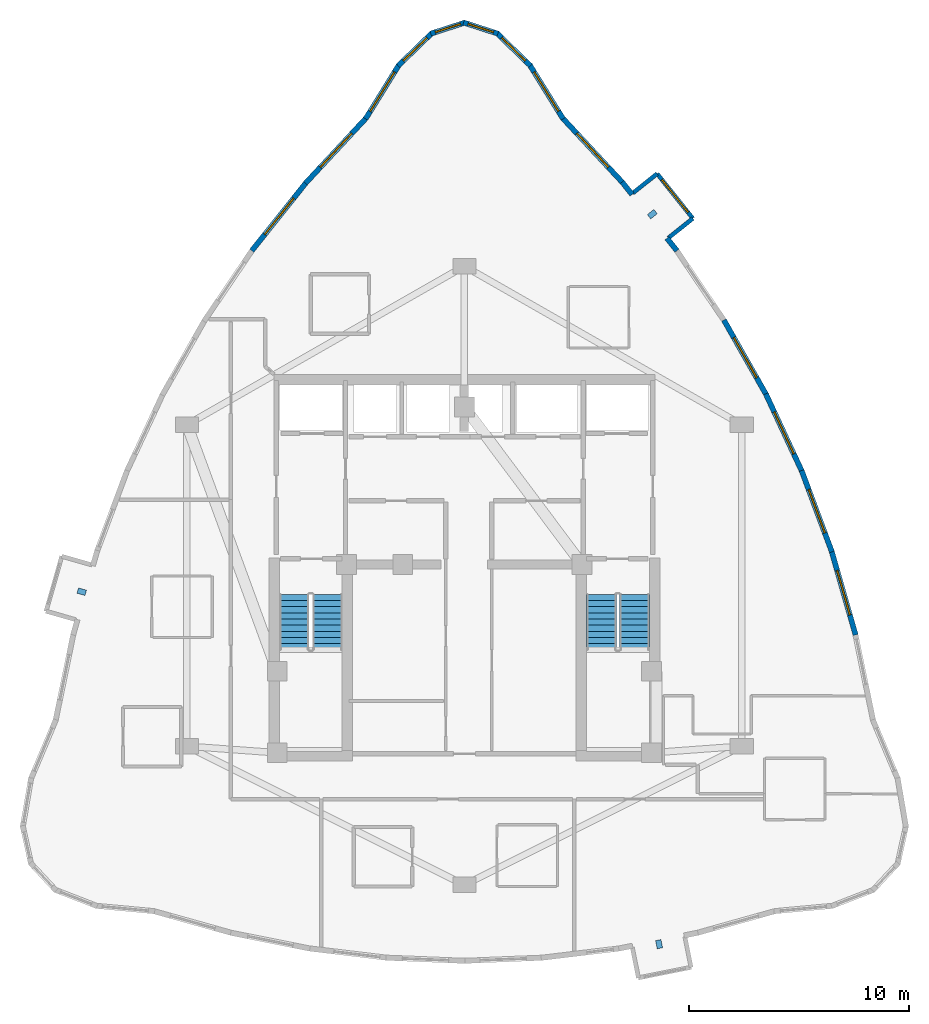
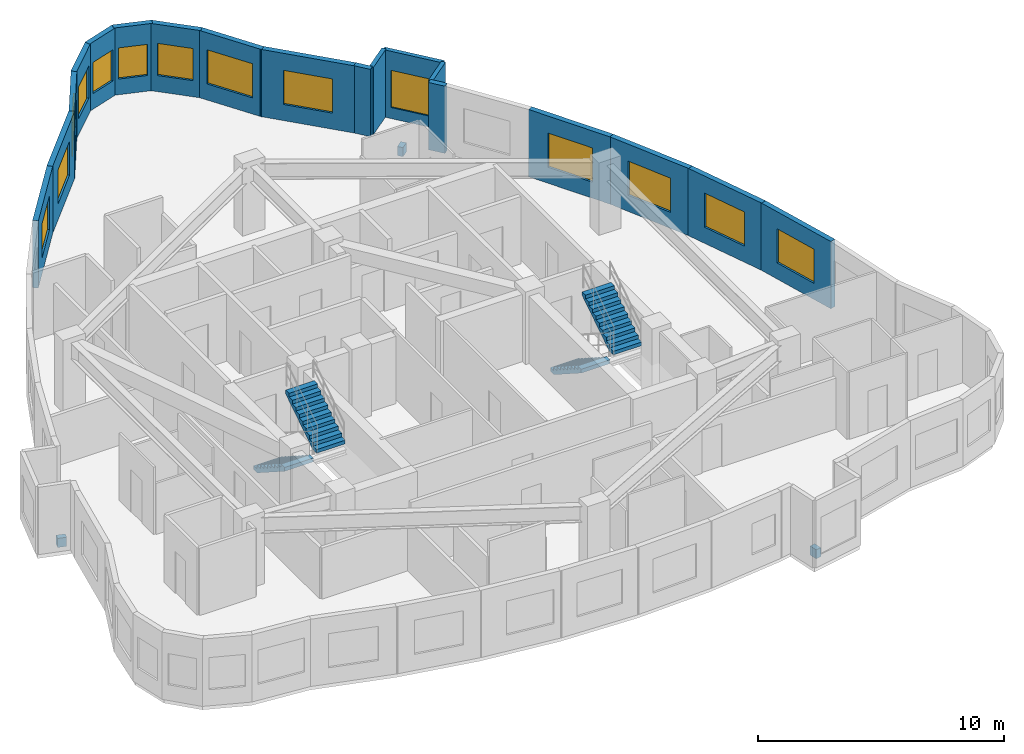
# One storey, part 7 of 8: 18 walls, 14 windows, 4 stair flights, 3 discrete accessories, 14 openings, 2 elements without a shape of their own.
"""IFC4 building model written with IfcOpenShell, lengths in metres."""

from ifc_helpers import new_model, si_unit, direction, frame, frame_2d, origin, origin_2d, place, context, subcontext, project, spatial, polyline, rectangle, outline, extrude, material, layer, layer_set, type_object, element, fill, aggregate, save


model = new_model("IFC4")

# Units and contexts
model_context = context("Model", 3, precision=1e-05, world=origin(), true_north=direction((0.0, 1.0)))
body_context = subcontext(model_context, "Body", "Model", "MODEL_VIEW")
ifc_project = project(units=[si_unit("LENGTHUNIT", "METRE"), si_unit("AREAUNIT", "SQUARE_METRE"), si_unit("VOLUMEUNIT", "CUBIC_METRE"), si_unit("PLANEANGLEUNIT", "RADIAN"), si_unit("MASSUNIT", "GRAM", prefix="KILO")], contexts=[model_context])

# Site, building, storey
site_placement = place(None, origin())
site = spatial("IfcSite", under=ifc_project, at=site_placement, CompositionType="ELEMENT")
building_placement = place(site_placement, origin())
building = spatial("IfcBuilding", under=site, at=building_placement, Name="Miruveldt Soraemaru", CompositionType="ELEMENT")
storey_placement = place(building_placement, frame((0.0, 0.0, 208.800048828125)))
storey = spatial("IfcBuildingStorey", under=building, at=storey_placement, Name="L57", CompositionType="ELEMENT", Elevation=208.800048828125)

# Walls
ifc_material_1 = material(Name="White powder-coated aluminium EN AW-6060 T6", Category="aluminium")
ifc_layer_1 = layer(ifc_material_1, 0.18994140625, Name="White powder-coated aluminium EN AW-6060 T6", Category="aluminium")
ifc_layer_set_1 = layer_set([ifc_layer_1], Name="White powder-coated aluminium EN AW-6060 T6")
wall_type_1 = type_object("IfcWallType", Name="WALL-BAY-ALU190", PredefinedType="SOLIDWALL", material=ifc_layer_set_1)
for number, where, z_axis, x_axis, name in (
    (1, (53.26513671875, 58.88232421875, 0.0), (0.0, 0.0, 1.0), (0.781737193764, 0.623608017817, 0.0), "L57 Bay Window Side Cheek 2L"),
    (2, (52.7578125, 61.803466796875, 0.0), (0.0, 0.0, 1.0), (-0.781737193764, -0.623608017817, 0.0), "L57 Bay Window Side Cheek 2R"),
):
    element("IfcWall", number, at=place(storey_placement, frame(where, z_axis=z_axis, x_axis=x_axis)), inside=storey, type_object=wall_type_1, Name=name, PredefinedType="SOLIDWALL", context=body_context, shape_type="SweptSolid", body=[
        extrude(rectangle(XDim=1.425048828125, YDim=0.18994140625, at=frame_2d((0.71240234375, 0.0))), origin(), (0.0, 0.0, 1.0), 3.344970703125),
    ])

# Wall, opening, window
wall_1_placement = place(storey_placement, frame((54.379150390625, 59.77099609375, 0.0), z_axis=(0.0, 0.0, 1.0), x_axis=(-0.623606546405, 0.781738367538, 0.0)))
wall_1 = element("IfcWall", 3, at=wall_1_placement, inside=storey, type_object=wall_type_1, Name="L57 Bay Window Front Frame 2", PredefinedType="SOLIDWALL", context=body_context, shape_type="SweptSolid", body=[
    extrude(rectangle(XDim=2.599853515625, YDim=0.18994140625, at=frame_2d((1.2998046875, 0.0))), origin(), (0.0, 0.0, 1.0), 3.344970703125),
])
opening_1_placement = place(wall_1_placement, frame((0.35009765625, 0.0, 0.550048828125)))
opening_1 = element("IfcOpeningElement", 4, at=opening_1_placement, cuts=wall_1, Name="Opening WN-6", PredefinedType="OPENING", context=body_context, shape_type="SweptSolid", body=[
    extrude(rectangle(XDim=1.89990234375, YDim=1.85009765625, at=frame_2d((0.949951171875, 0.925048828125))), frame((0.0, 0.10498046875, 0.0), z_axis=(0.0, -1.0, 0.0), x_axis=(1.0, 0.0, 0.0)), (0.0, 0.0, 1.0), 0.2099609375),
])
ifc_material_2 = material(Name="Triple low-e insulated glazing", Category="glass")
window_type_1 = type_object("IfcWindowType", Name="WIN-BAYW-1900x1850", PartitioningType="SINGLE_PANEL", PredefinedType="WINDOW", material=ifc_material_2)
window_1_placement = place(opening_1_placement, origin())
window_1 = element("IfcWindow", 5, at=window_1_placement, inside=storey, type_object=window_type_1, Name="L57 Projecting Bay Window 2", OverallHeight=1.85009765625, OverallWidth=1.89990234375, PartitioningType="SINGLE_PANEL", PredefinedType="WINDOW", context=body_context, shape_type="SweptSolid", body=[
    extrude(rectangle(XDim=1.89990234375, YDim=1.85009765625, at=frame_2d((0.949951171875, 0.925048828125))), frame((0.0, 0.030029296875, 0.0), z_axis=(0.0, -1.0, 0.0), x_axis=(1.0, 0.0, 0.0)), (0.0, 0.0, 1.0), 0.06005859375),
])
fill(opening_1, window_1)

ifc_material_3 = material(Name="Precast concrete C45/55 (45 MPa)", Category="concrete")
ifc_layer_2 = layer(ifc_material_3, 0.239990234375, Name="Precast concrete C45/55 (45 MPa)", Category="concrete")
ifc_layer_set_2 = layer_set([ifc_layer_2], Name="Precast concrete C45/55 (45 MPa)")
wall_type_2 = type_object("IfcWallType", Name="WALL-EXT-PC240", PredefinedType="SOLIDWALL", material=ifc_layer_set_2)
wall_2_placement = place(storey_placement, frame((48.4873046875, 64.292724609375, 0.0), z_axis=(0.0, 0.0, 1.0), x_axis=(-0.526030162623, 0.850465912315, 0.0)))
wall_2 = element("IfcWall", 6, at=wall_2_placement, inside=storey, type_object=wall_type_2, Name="L57 Precast Concrete Facade Wall 1", PredefinedType="SOLIDWALL", context=body_context, shape_type="SweptSolid", body=[
    extrude(rectangle(XDim=2.901611328125, YDim=0.239990234375, at=frame_2d((1.45068359375, 0.0))), origin(), (0.0, 0.0, 1.0), 3.344970703125),
])
opening_2_placement = place(wall_2_placement, frame((0.40087890625, 0.0, 0.800048828125)))
opening_2 = element("IfcOpeningElement", 7, at=opening_2_placement, cuts=wall_2, Name="Opening WN-1", PredefinedType="OPENING", context=body_context, shape_type="SweptSolid", body=[
    extrude(rectangle(XDim=2.10009765625, YDim=1.699951171875, at=frame_2d((1.050048828125, 0.85009765625))), frame((0.0, 0.1298828125, 0.0), z_axis=(0.0, -1.0, 0.0), x_axis=(1.0, 0.0, 0.0)), (0.0, 0.0, 1.0), 0.260009765625),
])
window_type_2 = type_object("IfcWindowType", Name="WIN-PUNCH-2100x1700", PartitioningType="SINGLE_PANEL", PredefinedType="WINDOW", material=ifc_material_2)
window_2_placement = place(opening_2_placement, origin())
window_2 = element("IfcWindow", 8, at=window_2_placement, inside=storey, type_object=window_type_2, Name="L57 Punched Triple-Glazed Window 01.1", OverallHeight=1.699951171875, OverallWidth=2.10009765625, PartitioningType="SINGLE_PANEL", PredefinedType="WINDOW", context=body_context, shape_type="SweptSolid", body=[
    extrude(rectangle(XDim=2.10009765625, YDim=1.699951171875, at=frame_2d((1.050048828125, 0.85009765625))), frame((0.0, 0.030029296875, 0.0), z_axis=(0.0, -1.0, 0.0), x_axis=(1.0, 0.0, 0.0)), (0.0, 0.0, 1.0), 0.06005859375),
])
fill(opening_2, window_2)

wall_3_placement = place(storey_placement, frame((47.00439453125, 66.706298828125, 0.0), z_axis=(0.0, 0.0, 1.0), x_axis=(-0.717779735571, 0.69627024294, 0.0)))
wall_3 = element("IfcWall", 9, at=wall_3_placement, inside=storey, type_object=wall_type_2, Name="L57 Precast Concrete Facade Wall 2", PredefinedType="SOLIDWALL", context=body_context, shape_type="SweptSolid", body=[
    extrude(rectangle(XDim=2.145263671875, YDim=0.239990234375, at=frame_2d((1.07275390625, 0.0))), origin(), (0.0, 0.0, 1.0), 3.344970703125),
])
opening_3_placement = place(wall_3_placement, frame((0.322998046875, 0.0, 0.800048828125)))
opening_3 = element("IfcOpeningElement", 10, at=opening_3_placement, cuts=wall_3, Name="Opening WN-3", PredefinedType="OPENING", context=body_context, shape_type="SweptSolid", body=[
    extrude(rectangle(XDim=1.5, YDim=1.60009765625, at=frame_2d((0.75, 0.800048828125))), frame((0.0, 0.1298828125, 0.0), z_axis=(0.0, -1.0, 0.0), x_axis=(1.0, 0.0, 0.0)), (0.0, 0.0, 1.0), 0.260009765625),
])
window_type_3 = type_object("IfcWindowType", Name="WIN-PUNCH-1500x1600", PartitioningType="SINGLE_PANEL", PredefinedType="WINDOW", material=ifc_material_2)
window_3_placement = place(opening_3_placement, origin())
window_3 = element("IfcWindow", 11, at=window_3_placement, inside=storey, type_object=window_type_3, Name="L57 Punched Triple-Glazed Window 02.1", OverallHeight=1.60009765625, OverallWidth=1.5, PartitioningType="SINGLE_PANEL", PredefinedType="WINDOW", context=body_context, shape_type="SweptSolid", body=[
    extrude(rectangle(XDim=1.5, YDim=1.60009765625, at=frame_2d((0.75, 0.800048828125))), frame((0.0, 0.030029296875, 0.0), z_axis=(0.0, -1.0, 0.0), x_axis=(1.0, 0.0, 0.0)), (0.0, 0.0, 1.0), 0.06005859375),
])
fill(opening_3, window_3)

wall_4_placement = place(storey_placement, frame((45.52294921875, 68.164794921875, 0.0), z_axis=(0.0, 0.0, 1.0), x_axis=(-0.951452233114, 0.307796439391, 0.0)))
wall_4 = element("IfcWall", 12, at=wall_4_placement, inside=storey, type_object=wall_type_2, Name="L57 Precast Concrete Facade Wall 3", PredefinedType="SOLIDWALL", context=body_context, shape_type="SweptSolid", body=[
    extrude(rectangle(XDim=1.635498046875, YDim=0.239990234375, at=frame_2d((0.81787109375, 0.0))), origin(), (0.0, 0.0, 1.0), 3.344970703125),
])
opening_4_placement = place(wall_4_placement, frame((0.218017578125, 0.0, 0.780029296875)))
opening_4 = element("IfcOpeningElement", 13, at=opening_4_placement, cuts=wall_4, Name="Opening WN-4", PredefinedType="OPENING", context=body_context, shape_type="SweptSolid", body=[
    extrude(rectangle(XDim=1.199951171875, YDim=1.550048828125, at=frame_2d((0.60009765625, 0.77490234375))), frame((0.0, 0.1298828125, 0.0), z_axis=(0.0, -1.0, 0.0), x_axis=(1.0, 0.0, 0.0)), (0.0, 0.0, 1.0), 0.260009765625),
])
window_type_4 = type_object("IfcWindowType", Name="WIN-PUNCH-1200x1550", PartitioningType="SINGLE_PANEL", PredefinedType="WINDOW", material=ifc_material_2)
window_4_placement = place(opening_4_placement, origin())
window_4 = element("IfcWindow", 14, at=window_4_placement, inside=storey, type_object=window_type_4, Name="L57 Punched Triple-Glazed Window 03.1", OverallHeight=1.550048828125, OverallWidth=1.199951171875, PartitioningType="SINGLE_PANEL", PredefinedType="WINDOW", context=body_context, shape_type="SweptSolid", body=[
    extrude(rectangle(XDim=1.199951171875, YDim=1.550048828125, at=frame_2d((0.60009765625, 0.77490234375))), frame((0.0, 0.030029296875, 0.0), z_axis=(0.0, -1.0, 0.0), x_axis=(1.0, 0.0, 0.0)), (0.0, 0.0, 1.0), 0.06005859375),
])
fill(opening_4, window_4)

wall_5_placement = place(storey_placement, frame((44.033203125, 68.668212890625, 0.0), z_axis=(0.0, 0.0, 1.0), x_axis=(-0.951452233114, -0.307796439391, 0.0)))
wall_5 = element("IfcWall", 15, at=wall_5_placement, inside=storey, type_object=wall_type_2, Name="L57 Precast Concrete Facade Wall 4", PredefinedType="SOLIDWALL", context=body_context, shape_type="SweptSolid", body=[
    extrude(rectangle(XDim=1.635498046875, YDim=0.239990234375, at=frame_2d((0.81787109375, 0.0))), origin(), (0.0, 0.0, 1.0), 3.344970703125),
])
opening_5_placement = place(wall_5_placement, frame((0.218017578125, 0.0, 0.780029296875)))
opening_5 = element("IfcOpeningElement", 16, at=opening_5_placement, cuts=wall_5, Name="Opening WN-4", PredefinedType="OPENING", context=body_context, shape_type="SweptSolid", body=[
    extrude(rectangle(XDim=1.199951171875, YDim=1.550048828125, at=frame_2d((0.60009765625, 0.77490234375))), frame((0.0, 0.1298828125, 0.0), z_axis=(0.0, -1.0, 0.0), x_axis=(1.0, 0.0, 0.0)), (0.0, 0.0, 1.0), 0.260009765625),
])
window_5_placement = place(opening_5_placement, origin())
window_5 = element("IfcWindow", 17, at=window_5_placement, inside=storey, type_object=window_type_4, Name="L57 Punched Triple-Glazed Window 04.1", OverallHeight=1.550048828125, OverallWidth=1.199951171875, PartitioningType="SINGLE_PANEL", PredefinedType="WINDOW", context=body_context, shape_type="SweptSolid", body=[
    extrude(rectangle(XDim=1.199951171875, YDim=1.550048828125, at=frame_2d((0.60009765625, 0.77490234375))), frame((0.0, 0.030029296875, 0.0), z_axis=(0.0, -1.0, 0.0), x_axis=(1.0, 0.0, 0.0)), (0.0, 0.0, 1.0), 0.06005859375),
])
fill(opening_5, window_5)

wall_6_placement = place(storey_placement, frame((42.535400390625, 68.199951171875, 0.0), z_axis=(0.0, 0.0, 1.0), x_axis=(-0.717779735571, -0.69627024294, 0.0)))
wall_6 = element("IfcWall", 18, at=wall_6_placement, inside=storey, type_object=wall_type_2, Name="L57 Precast Concrete Facade Wall 5", PredefinedType="SOLIDWALL", context=body_context, shape_type="SweptSolid", body=[
    extrude(rectangle(XDim=2.145263671875, YDim=0.239990234375, at=frame_2d((1.07275390625, 0.0))), origin(), (0.0, 0.0, 1.0), 3.344970703125),
])
opening_6_placement = place(wall_6_placement, frame((0.322998046875, 0.0, 0.800048828125)))
opening_6 = element("IfcOpeningElement", 19, at=opening_6_placement, cuts=wall_6, Name="Opening WN-3", PredefinedType="OPENING", context=body_context, shape_type="SweptSolid", body=[
    extrude(rectangle(XDim=1.5, YDim=1.60009765625, at=frame_2d((0.75, 0.800048828125))), frame((0.0, 0.1298828125, 0.0), z_axis=(0.0, -1.0, 0.0), x_axis=(1.0, 0.0, 0.0)), (0.0, 0.0, 1.0), 0.260009765625),
])
window_6_placement = place(opening_6_placement, origin())
window_6 = element("IfcWindow", 20, at=window_6_placement, inside=storey, type_object=window_type_3, Name="L57 Punched Triple-Glazed Window 05.1", OverallHeight=1.60009765625, OverallWidth=1.5, PartitioningType="SINGLE_PANEL", PredefinedType="WINDOW", context=body_context, shape_type="SweptSolid", body=[
    extrude(rectangle(XDim=1.5, YDim=1.60009765625, at=frame_2d((0.75, 0.800048828125))), frame((0.0, 0.030029296875, 0.0), z_axis=(0.0, -1.0, 0.0), x_axis=(1.0, 0.0, 0.0)), (0.0, 0.0, 1.0), 0.06005859375),
])
fill(opening_6, window_6)

wall_7_placement = place(storey_placement, frame((41.0390625, 66.760498046875, 0.0), z_axis=(0.0, 0.0, 1.0), x_axis=(-0.526030162623, -0.850465912315, 0.0)))
wall_7 = element("IfcWall", 21, at=wall_7_placement, inside=storey, type_object=wall_type_2, Name="L57 Precast Concrete Facade Wall 6", PredefinedType="SOLIDWALL", context=body_context, shape_type="SweptSolid", body=[
    extrude(rectangle(XDim=2.901611328125, YDim=0.239990234375, at=frame_2d((1.45068359375, 0.0))), origin(), (0.0, 0.0, 1.0), 3.344970703125),
])
opening_7_placement = place(wall_7_placement, frame((0.40087890625, 0.0, 0.800048828125)))
opening_7 = element("IfcOpeningElement", 22, at=opening_7_placement, cuts=wall_7, Name="Opening WN-1", PredefinedType="OPENING", context=body_context, shape_type="SweptSolid", body=[
    extrude(rectangle(XDim=2.10009765625, YDim=1.699951171875, at=frame_2d((1.050048828125, 0.85009765625))), frame((0.0, 0.1298828125, 0.0), z_axis=(0.0, -1.0, 0.0), x_axis=(1.0, 0.0, 0.0)), (0.0, 0.0, 1.0), 0.260009765625),
])
window_7_placement = place(opening_7_placement, origin())
window_7 = element("IfcWindow", 23, at=window_7_placement, inside=storey, type_object=window_type_2, Name="L57 Punched Triple-Glazed Window 06.1", OverallHeight=1.699951171875, OverallWidth=2.10009765625, PartitioningType="SINGLE_PANEL", PredefinedType="WINDOW", context=body_context, shape_type="SweptSolid", body=[
    extrude(rectangle(XDim=2.10009765625, YDim=1.699951171875, at=frame_2d((1.050048828125, 0.85009765625))), frame((0.0, 0.030029296875, 0.0), z_axis=(0.0, -1.0, 0.0), x_axis=(1.0, 0.0, 0.0)), (0.0, 0.0, 1.0), 0.06005859375),
])
fill(opening_7, window_7)

wall_8_placement = place(storey_placement, frame((39.5546875, 64.34814453125, 0.0), z_axis=(0.0, 0.0, 1.0), x_axis=(-0.680865739955, -0.73240824965, 0.0)))
wall_8 = element("IfcWall", 24, at=wall_8_placement, inside=storey, type_object=wall_type_2, Name="L57 Precast Concrete Facade Wall 7", PredefinedType="SOLIDWALL", context=body_context, shape_type="SweptSolid", body=[
    extrude(rectangle(XDim=4.06396484375, YDim=0.239990234375, at=frame_2d((2.031982421875, 0.0))), origin(), (0.0, 0.0, 1.0), 3.344970703125),
])
opening_8_placement = place(wall_8_placement, frame((0.98193359375, 0.0, 0.800048828125)))
opening_8 = element("IfcOpeningElement", 25, at=opening_8_placement, cuts=wall_8, Name="Opening WN-1", PredefinedType="OPENING", context=body_context, shape_type="SweptSolid", body=[
    extrude(rectangle(XDim=2.10009765625, YDim=1.699951171875, at=frame_2d((1.050048828125, 0.85009765625))), frame((0.0, 0.1298828125, 0.0), z_axis=(0.0, -1.0, 0.0), x_axis=(1.0, 0.0, 0.0)), (0.0, 0.0, 1.0), 0.260009765625),
])
window_8_placement = place(opening_8_placement, origin())
window_8 = element("IfcWindow", 26, at=window_8_placement, inside=storey, type_object=window_type_2, Name="L57 Punched Triple-Glazed Window 07.1", OverallHeight=1.699951171875, OverallWidth=2.10009765625, PartitioningType="SINGLE_PANEL", PredefinedType="WINDOW", context=body_context, shape_type="SweptSolid", body=[
    extrude(rectangle(XDim=2.10009765625, YDim=1.699951171875, at=frame_2d((1.050048828125, 0.85009765625))), frame((0.0, 0.030029296875, 0.0), z_axis=(0.0, -1.0, 0.0), x_axis=(1.0, 0.0, 0.0)), (0.0, 0.0, 1.0), 0.06005859375),
])
fill(opening_8, window_8)

wall_9_placement = place(storey_placement, frame((36.833251953125, 61.4248046875, 0.0), z_axis=(0.0, 0.0, 1.0), x_axis=(-0.623568303813, -0.7817688728, 0.0)))
wall_9 = element("IfcWall", 27, at=wall_9_placement, inside=storey, type_object=wall_type_2, Name="L57 Precast Concrete Facade Wall 8", PredefinedType="SOLIDWALL", context=body_context, shape_type="SweptSolid", body=[
    extrude(rectangle(XDim=3.992431640625, YDim=0.239990234375, at=frame_2d((1.99609375, 0.0))), origin(), (0.0, 0.0, 1.0), 3.344970703125),
])
opening_9_placement = place(wall_9_placement, frame((0.946044921875, 0.0, 0.800048828125)))
opening_9 = element("IfcOpeningElement", 28, at=opening_9_placement, cuts=wall_9, Name="Opening WN-1", PredefinedType="OPENING", context=body_context, shape_type="SweptSolid", body=[
    extrude(rectangle(XDim=2.10009765625, YDim=1.699951171875, at=frame_2d((1.050048828125, 0.85009765625))), frame((0.0, 0.1298828125, 0.0), z_axis=(0.0, -1.0, 0.0), x_axis=(1.0, 0.0, 0.0)), (0.0, 0.0, 1.0), 0.260009765625),
])
window_9_placement = place(opening_9_placement, origin())
window_9 = element("IfcWindow", 29, at=window_9_placement, inside=storey, type_object=window_type_2, Name="L57 Punched Triple-Glazed Window 08.1", OverallHeight=1.699951171875, OverallWidth=2.10009765625, PartitioningType="SINGLE_PANEL", PredefinedType="WINDOW", context=body_context, shape_type="SweptSolid", body=[
    extrude(rectangle(XDim=2.10009765625, YDim=1.699951171875, at=frame_2d((1.050048828125, 0.85009765625))), frame((0.0, 0.030029296875, 0.0), z_axis=(0.0, -1.0, 0.0), x_axis=(1.0, 0.0, 0.0)), (0.0, 0.0, 1.0), 0.06005859375),
])
fill(opening_9, window_9)

wall_10_placement = place(storey_placement, frame((61.771728515625, 40.851806640625, 0.0), z_axis=(0.0, 0.0, 1.0), x_axis=(-0.2749472738, 0.961459305759, 0.0)))
wall_10 = element("IfcWall", 30, at=wall_10_placement, inside=storey, type_object=wall_type_2, Name="L57 Precast Concrete Facade Wall 36", PredefinedType="SOLIDWALL", context=body_context, shape_type="SweptSolid", body=[
    extrude(rectangle(XDim=3.9921875, YDim=0.239990234375, at=frame_2d((1.99609375, 0.0))), origin(), (0.0, 0.0, 1.0), 3.344970703125),
])
opening_10_placement = place(wall_10_placement, frame((0.946044921875, 0.0, 0.800048828125)))
opening_10 = element("IfcOpeningElement", 31, at=opening_10_placement, cuts=wall_10, Name="Opening WN-1", PredefinedType="OPENING", context=body_context, shape_type="SweptSolid", body=[
    extrude(rectangle(XDim=2.10009765625, YDim=1.699951171875, at=frame_2d((1.050048828125, 0.85009765625))), frame((0.0, 0.1298828125, 0.0), z_axis=(0.0, -1.0, 0.0), x_axis=(1.0, 0.0, 0.0)), (0.0, 0.0, 1.0), 0.260009765625),
])
window_10_placement = place(opening_10_placement, origin())
window_10 = element("IfcWindow", 32, at=window_10_placement, inside=storey, type_object=window_type_2, Name="L57 Punched Triple-Glazed Window 36.1", OverallHeight=1.699951171875, OverallWidth=2.10009765625, PartitioningType="SINGLE_PANEL", PredefinedType="WINDOW", context=body_context, shape_type="SweptSolid", body=[
    extrude(rectangle(XDim=2.10009765625, YDim=1.699951171875, at=frame_2d((1.050048828125, 0.85009765625))), frame((0.0, 0.030029296875, 0.0), z_axis=(0.0, -1.0, 0.0), x_axis=(1.0, 0.0, 0.0)), (0.0, 0.0, 1.0), 0.06005859375),
])
fill(opening_10, window_10)

wall_11_placement = place(storey_placement, frame((60.69580078125, 44.623779296875, 0.0), z_axis=(0.0, 0.0, 1.0), x_axis=(-0.349019487368, 0.937115466438, 0.0)))
wall_11 = element("IfcWall", 33, at=wall_11_placement, inside=storey, type_object=wall_type_2, Name="L57 Precast Concrete Facade Wall 37", PredefinedType="SOLIDWALL", context=body_context, shape_type="SweptSolid", body=[
    extrude(rectangle(XDim=3.94384765625, YDim=0.239990234375, at=frame_2d((1.971923828125, 0.0))), origin(), (0.0, 0.0, 1.0), 3.344970703125),
])
opening_11_placement = place(wall_11_placement, frame((0.922119140625, 0.0, 0.800048828125)))
opening_11 = element("IfcOpeningElement", 34, at=opening_11_placement, cuts=wall_11, Name="Opening WN-1", PredefinedType="OPENING", context=body_context, shape_type="SweptSolid", body=[
    extrude(rectangle(XDim=2.10009765625, YDim=1.699951171875, at=frame_2d((1.050048828125, 0.85009765625))), frame((0.0, 0.1298828125, 0.0), z_axis=(0.0, -1.0, 0.0), x_axis=(1.0, 0.0, 0.0)), (0.0, 0.0, 1.0), 0.260009765625),
])
window_11_placement = place(opening_11_placement, origin())
window_11 = element("IfcWindow", 35, at=window_11_placement, inside=storey, type_object=window_type_2, Name="L57 Punched Triple-Glazed Window 37.1", OverallHeight=1.699951171875, OverallWidth=2.10009765625, PartitioningType="SINGLE_PANEL", PredefinedType="WINDOW", context=body_context, shape_type="SweptSolid", body=[
    extrude(rectangle(XDim=2.10009765625, YDim=1.699951171875, at=frame_2d((1.050048828125, 0.85009765625))), frame((0.0, 0.030029296875, 0.0), z_axis=(0.0, -1.0, 0.0), x_axis=(1.0, 0.0, 0.0)), (0.0, 0.0, 1.0), 0.06005859375),
])
fill(opening_11, window_11)

wall_12_placement = place(storey_placement, frame((59.346435546875, 48.2548828125, 0.0), z_axis=(0.0, 0.0, 1.0), x_axis=(-0.422274956888, 0.906467793573, 0.0)))
wall_12 = element("IfcWall", 36, at=wall_12_placement, inside=storey, type_object=wall_type_2, Name="L57 Precast Concrete Facade Wall 38", PredefinedType="SOLIDWALL", context=body_context, shape_type="SweptSolid", body=[
    extrude(rectangle(XDim=3.91943359375, YDim=0.239990234375, at=frame_2d((1.959716796875, 0.0))), origin(), (0.0, 0.0, 1.0), 3.344970703125),
])
opening_12_placement = place(wall_12_placement, frame((0.908935546875, 0.0, 0.800048828125)))
opening_12 = element("IfcOpeningElement", 37, at=opening_12_placement, cuts=wall_12, Name="Opening WN-1", PredefinedType="OPENING", context=body_context, shape_type="SweptSolid", body=[
    extrude(rectangle(XDim=2.10009765625, YDim=1.699951171875, at=frame_2d((1.050048828125, 0.85009765625))), frame((0.0, 0.1298828125, 0.0), z_axis=(0.0, -1.0, 0.0), x_axis=(1.0, 0.0, 0.0)), (0.0, 0.0, 1.0), 0.260009765625),
])
window_12_placement = place(opening_12_placement, origin())
window_12 = element("IfcWindow", 38, at=window_12_placement, inside=storey, type_object=window_type_2, Name="L57 Punched Triple-Glazed Window 38.1", OverallHeight=1.699951171875, OverallWidth=2.10009765625, PartitioningType="SINGLE_PANEL", PredefinedType="WINDOW", context=body_context, shape_type="SweptSolid", body=[
    extrude(rectangle(XDim=2.10009765625, YDim=1.699951171875, at=frame_2d((1.050048828125, 0.85009765625))), frame((0.0, 0.030029296875, 0.0), z_axis=(0.0, -1.0, 0.0), x_axis=(1.0, 0.0, 0.0)), (0.0, 0.0, 1.0), 0.06005859375),
])
fill(opening_12, window_12)

wall_13_placement = place(storey_placement, frame((57.723388671875, 51.74560546875, 0.0), z_axis=(0.0, 0.0, 1.0), x_axis=(-0.493399199777, 0.869802983243, 0.0)))
wall_13 = element("IfcWall", 39, at=wall_13_placement, inside=storey, type_object=wall_type_2, Name="L57 Precast Concrete Facade Wall 39", PredefinedType="SOLIDWALL", context=body_context, shape_type="SweptSolid", body=[
    extrude(rectangle(XDim=3.9189453125, YDim=0.239990234375, at=frame_2d((1.95947265625, 0.0))), origin(), (0.0, 0.0, 1.0), 3.344970703125),
])
opening_13_placement = place(wall_13_placement, frame((0.908935546875, 0.0, 0.800048828125)))
opening_13 = element("IfcOpeningElement", 40, at=opening_13_placement, cuts=wall_13, Name="Opening WN-1", PredefinedType="OPENING", context=body_context, shape_type="SweptSolid", body=[
    extrude(rectangle(XDim=2.10009765625, YDim=1.699951171875, at=frame_2d((1.050048828125, 0.85009765625))), frame((0.0, 0.1298828125, 0.0), z_axis=(0.0, -1.0, 0.0), x_axis=(1.0, 0.0, 0.0)), (0.0, 0.0, 1.0), 0.260009765625),
])
window_13_placement = place(opening_13_placement, origin())
window_13 = element("IfcWindow", 41, at=window_13_placement, inside=storey, type_object=window_type_2, Name="L57 Punched Triple-Glazed Window 39.1", OverallHeight=1.699951171875, OverallWidth=2.10009765625, PartitioningType="SINGLE_PANEL", PredefinedType="WINDOW", context=body_context, shape_type="SweptSolid", body=[
    extrude(rectangle(XDim=2.10009765625, YDim=1.699951171875, at=frame_2d((1.050048828125, 0.85009765625))), frame((0.0, 0.030029296875, 0.0), z_axis=(0.0, -1.0, 0.0), x_axis=(1.0, 0.0, 0.0)), (0.0, 0.0, 1.0), 0.06005859375),
])
fill(opening_13, window_13)

# Walls
for number, where, z_axis, x_axis, name in (
    (42, (53.65625, 58.3037109375, 0.0), (0.0, 0.0, 1.0), (-0.623300085087, 0.781982738896, 0.0), "L57 Precast Pier Wall 41A"),
    (43, (51.619384765625, 60.85693359375, 0.0), (0.0, 0.0, 1.0), (-0.623300085087, 0.781982738896, 0.0), "L57 Precast Pier Wall 41B"),
):
    element("IfcWall", number, at=place(storey_placement, frame(where, z_axis=z_axis, x_axis=x_axis)), inside=storey, type_object=wall_type_2, Name=name, PredefinedType="SOLIDWALL", context=body_context, shape_type="SweptSolid", body=[
        extrude(rectangle(XDim=0.72607421875, YDim=0.239990234375, at=frame_2d((0.363037109375, 0.0))), origin(), (0.0, 0.0, 1.0), 3.344970703125),
    ])

# Wall, opening, window
wall_14_placement = place(storey_placement, frame((51.21240234375, 61.37158203125, 0.0), z_axis=(0.0, 0.0, 1.0), x_axis=(-0.680865739955, 0.73240824965, 0.0)))
wall_14 = element("IfcWall", 44, at=wall_14_placement, inside=storey, type_object=wall_type_2, Name="L57 Precast Concrete Facade Wall 42", PredefinedType="SOLIDWALL", context=body_context, shape_type="SweptSolid", body=[
    extrude(rectangle(XDim=4.06396484375, YDim=0.239990234375, at=frame_2d((2.031982421875, 0.0))), origin(), (0.0, 0.0, 1.0), 3.344970703125),
])
opening_14_placement = place(wall_14_placement, frame((0.98193359375, 0.0, 0.800048828125)))
opening_14 = element("IfcOpeningElement", 45, at=opening_14_placement, cuts=wall_14, Name="Opening WN-1", PredefinedType="OPENING", context=body_context, shape_type="SweptSolid", body=[
    extrude(rectangle(XDim=2.10009765625, YDim=1.699951171875, at=frame_2d((1.050048828125, 0.85009765625))), frame((0.0, 0.1298828125, 0.0), z_axis=(0.0, -1.0, 0.0), x_axis=(1.0, 0.0, 0.0)), (0.0, 0.0, 1.0), 0.260009765625),
])
window_14_placement = place(opening_14_placement, origin())
window_14 = element("IfcWindow", 46, at=window_14_placement, inside=storey, type_object=window_type_2, Name="L57 Punched Triple-Glazed Window 42.1", OverallHeight=1.699951171875, OverallWidth=2.10009765625, PartitioningType="SINGLE_PANEL", PredefinedType="WINDOW", context=body_context, shape_type="SweptSolid", body=[
    extrude(rectangle(XDim=2.10009765625, YDim=1.699951171875, at=frame_2d((1.050048828125, 0.85009765625))), frame((0.0, 0.030029296875, 0.0), z_axis=(0.0, -1.0, 0.0), x_axis=(1.0, 0.0, 0.0)), (0.0, 0.0, 1.0), 0.06005859375),
])
fill(opening_14, window_14)

# Stair, stair flights
ifc_material_4 = material(Name="Concrete C40/50 (40 MPa)", Category="concrete")
stair_type = type_object("IfcStairType", Name="STAIR-DL-360", PredefinedType="HALF_TURN_STAIR", material=ifc_material_4)
stair_1_placement = place(storey_placement, origin())
stair_1 = element("IfcStair", 47, at=stair_1_placement, inside=storey, type_object=stair_type, Name="L57 Protected Exit Stair ST-1", PredefinedType="HALF_TURN_STAIR")
stair_flight_type = type_object("IfcStairFlightType", Name="SFL-DL-360", PredefinedType="STRAIGHT", material=ifc_material_4)
stair_flight_1_placement = place(storey_placement, frame((36.27490234375, 42.699951171875, 0.0), z_axis=(0.0, 0.0, 1.0), x_axis=(0.0, -1.0, 0.0)))
stair_flight_1 = element("IfcStairFlight", 48, at=stair_flight_1_placement, type_object=stair_flight_type, Name="ST-1 flight 1", NumberOfRisers=10, NumberOfTreads=9, PredefinedType="STRAIGHT", RiserHeight=0.18, TreadLength=0.28, context=body_context, shape_type="SweptSolid", body=[
    extrude(outline(polyline([(0.0, 0.0), (0.0, 0.179931640625), (0.280029296875, 0.179931640625), (0.280029296875, 0.360107421875), (0.56005859375, 0.360107421875), (0.56005859375, 0.5400390625), (0.840087890625, 0.5400390625), (0.840087890625, 0.719970703125), (1.1201171875, 0.719970703125), (1.1201171875, 0.89990234375), (1.39990234375, 0.89990234375), (1.39990234375, 1.080078125), (1.679931640625, 1.080078125), (1.679931640625, 1.260009765625), (1.9599609375, 1.260009765625), (1.9599609375, 1.43994140625), (2.239990234375, 1.43994140625), (2.239990234375, 1.6201171875), (2.52001953125, 1.6201171875), (2.52001953125, 1.800048828125), (2.52001953125, 1.429931640625), (0.295654296875, 0.0), (0.0, 0.0)])), frame((0.0, 0.675048828125, 0.0), z_axis=(0.0, -1.0, 0.0), x_axis=(1.0, 0.0, 0.0)), (0.0, 0.0, 1.0), 1.35009765625),
])
stair_flight_2_placement = place(storey_placement, frame((37.77490234375, 40.179931640625, 1.800048828125), z_axis=(0.0, 0.0, 1.0), x_axis=(0.0, 1.0, 0.0)))
stair_flight_2 = element("IfcStairFlight", 49, at=stair_flight_2_placement, type_object=stair_flight_type, Name="ST-1 flight 2", NumberOfRisers=10, NumberOfTreads=9, PredefinedType="STRAIGHT", RiserHeight=0.18, TreadLength=0.28, context=body_context, shape_type="SweptSolid", body=[
    extrude(outline(polyline([(0.0, 0.0), (0.0, 0.179931640625), (0.280029296875, 0.179931640625), (0.280029296875, 0.360107421875), (0.56005859375, 0.360107421875), (0.56005859375, 0.5400390625), (0.840087890625, 0.5400390625), (0.840087890625, 0.719970703125), (1.1201171875, 0.719970703125), (1.1201171875, 0.89990234375), (1.39990234375, 0.89990234375), (1.39990234375, 1.080078125), (1.679931640625, 1.080078125), (1.679931640625, 1.260009765625), (1.9599609375, 1.260009765625), (1.9599609375, 1.43994140625), (2.239990234375, 1.43994140625), (2.239990234375, 1.6201171875), (2.52001953125, 1.6201171875), (2.52001953125, 1.800048828125), (2.52001953125, 1.429931640625), (0.295654296875, 0.0), (0.0, 0.0)])), frame((0.0, 0.675048828125, 0.0), z_axis=(0.0, -1.0, 0.0), x_axis=(1.0, 0.0, 0.0)), (0.0, 0.0, 1.0), 1.35009765625),
])
aggregate(stair_1, [stair_flight_1, stair_flight_2])

stair_2_placement = place(storey_placement, origin())
stair_2 = element("IfcStair", 50, at=stair_2_placement, inside=storey, type_object=stair_type, Name="L57 Protected Exit Stair ST-2", PredefinedType="HALF_TURN_STAIR")
stair_flight_3_placement = place(storey_placement, frame((50.22509765625, 42.699951171875, 0.0), z_axis=(0.0, 0.0, 1.0), x_axis=(0.0, -1.0, 0.0)))
stair_flight_3 = element("IfcStairFlight", 51, at=stair_flight_3_placement, type_object=stair_flight_type, Name="ST-2 flight 1", NumberOfRisers=10, NumberOfTreads=9, PredefinedType="STRAIGHT", RiserHeight=0.18, TreadLength=0.28, context=body_context, shape_type="SweptSolid", body=[
    extrude(outline(polyline([(0.0, 0.0), (0.0, 0.179931640625), (0.280029296875, 0.179931640625), (0.280029296875, 0.360107421875), (0.56005859375, 0.360107421875), (0.56005859375, 0.5400390625), (0.840087890625, 0.5400390625), (0.840087890625, 0.719970703125), (1.1201171875, 0.719970703125), (1.1201171875, 0.89990234375), (1.39990234375, 0.89990234375), (1.39990234375, 1.080078125), (1.679931640625, 1.080078125), (1.679931640625, 1.260009765625), (1.9599609375, 1.260009765625), (1.9599609375, 1.43994140625), (2.239990234375, 1.43994140625), (2.239990234375, 1.6201171875), (2.52001953125, 1.6201171875), (2.52001953125, 1.800048828125), (2.52001953125, 1.429931640625), (0.295654296875, 0.0), (0.0, 0.0)])), frame((0.0, 0.675048828125, 0.0), z_axis=(0.0, -1.0, 0.0), x_axis=(1.0, 0.0, 0.0)), (0.0, 0.0, 1.0), 1.35009765625),
])
stair_flight_4_placement = place(storey_placement, frame((51.72509765625, 40.179931640625, 1.800048828125), z_axis=(0.0, 0.0, 1.0), x_axis=(0.0, 1.0, 0.0)))
stair_flight_4 = element("IfcStairFlight", 52, at=stair_flight_4_placement, type_object=stair_flight_type, Name="ST-2 flight 2", NumberOfRisers=10, NumberOfTreads=9, PredefinedType="STRAIGHT", RiserHeight=0.18, TreadLength=0.28, context=body_context, shape_type="SweptSolid", body=[
    extrude(outline(polyline([(0.0, 0.0), (0.0, 0.179931640625), (0.280029296875, 0.179931640625), (0.280029296875, 0.360107421875), (0.56005859375, 0.360107421875), (0.56005859375, 0.5400390625), (0.840087890625, 0.5400390625), (0.840087890625, 0.719970703125), (1.1201171875, 0.719970703125), (1.1201171875, 0.89990234375), (1.39990234375, 0.89990234375), (1.39990234375, 1.080078125), (1.679931640625, 1.080078125), (1.679931640625, 1.260009765625), (1.9599609375, 1.260009765625), (1.9599609375, 1.43994140625), (2.239990234375, 1.43994140625), (2.239990234375, 1.6201171875), (2.52001953125, 1.6201171875), (2.52001953125, 1.800048828125), (2.52001953125, 1.429931640625), (0.295654296875, 0.0), (0.0, 0.0)])), frame((0.0, 0.675048828125, 0.0), z_axis=(0.0, -1.0, 0.0), x_axis=(1.0, 0.0, 0.0)), (0.0, 0.0, 1.0), 1.35009765625),
])
aggregate(stair_2, [stair_flight_3, stair_flight_4])

# Discrete accessories
ifc_material_5 = material(Name="Steel SM355 (355 MPa)", Category="steel")
discrete_accessory_type = type_object("IfcDiscreteAccessoryType", Name="ACC-BAY-BRK", PredefinedType="BRACKET", material=ifc_material_5)
for number, where, z_axis, x_axis, name in (
    (53, (52.8427734375, 26.807861328125, -0.7001953125), (0.0, 0.0, 1.0), (0.196117290802, -0.980580444557, 0.0), "L57 Bay Window Cantilever Bracket 1"),
    (54, (52.53662109375, 59.964111328125, -0.7001953125), (0.0, 0.0, 1.0), (0.781727315753, 0.623620400408, 0.0), "L57 Bay Window Cantilever Bracket 2"),
    (55, (26.623291015625, 42.81494140625, -0.7001953125), (0.0, 0.0, 1.0), (-0.961449093633, 0.274982981932, 0.0), "L57 Bay Window Cantilever Bracket 3"),
):
    element("IfcDiscreteAccessory", number, at=place(storey_placement, frame(where, z_axis=z_axis, x_axis=x_axis)), inside=storey, type_object=discrete_accessory_type, Name=name, PredefinedType="BRACKET", context=body_context, shape_type="SweptSolid", body=[
        extrude(rectangle(XDim=0.3798828125, YDim=0.25, at=origin_2d()), origin(), (0.0, 0.0, 1.0), 0.449951171875),
    ])

save(model, "model.ifc")
